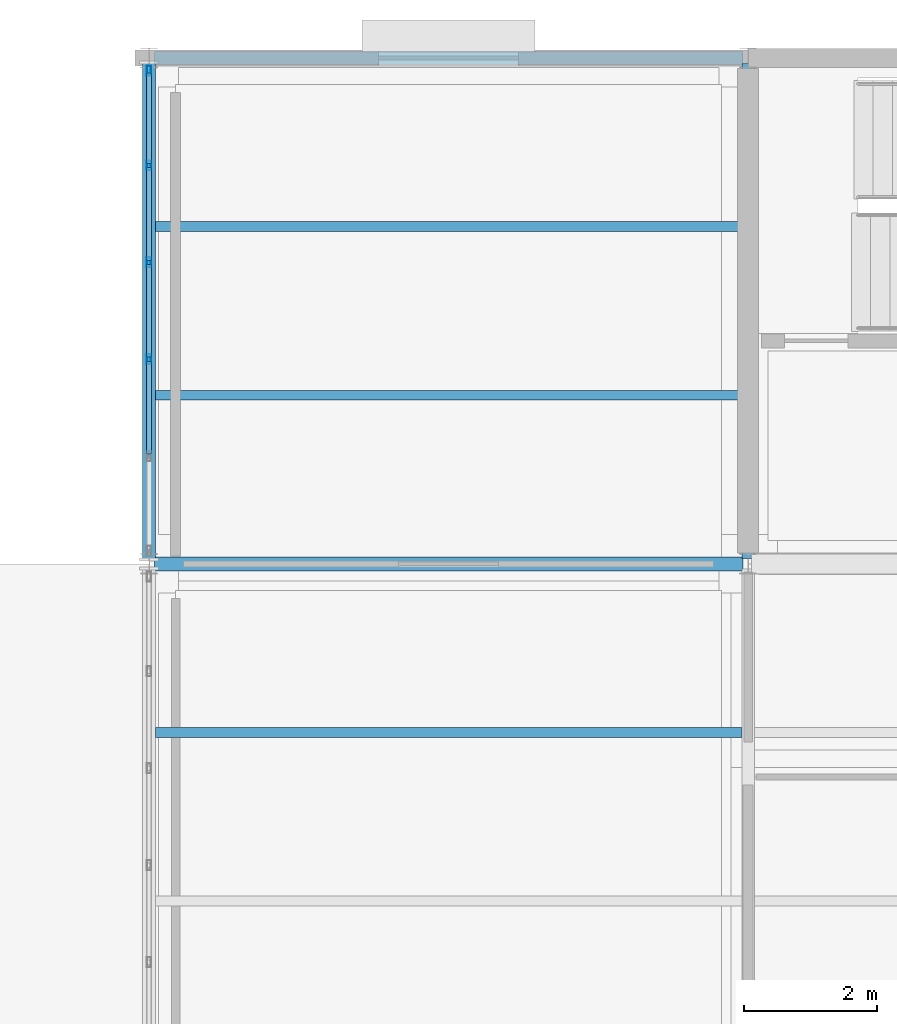
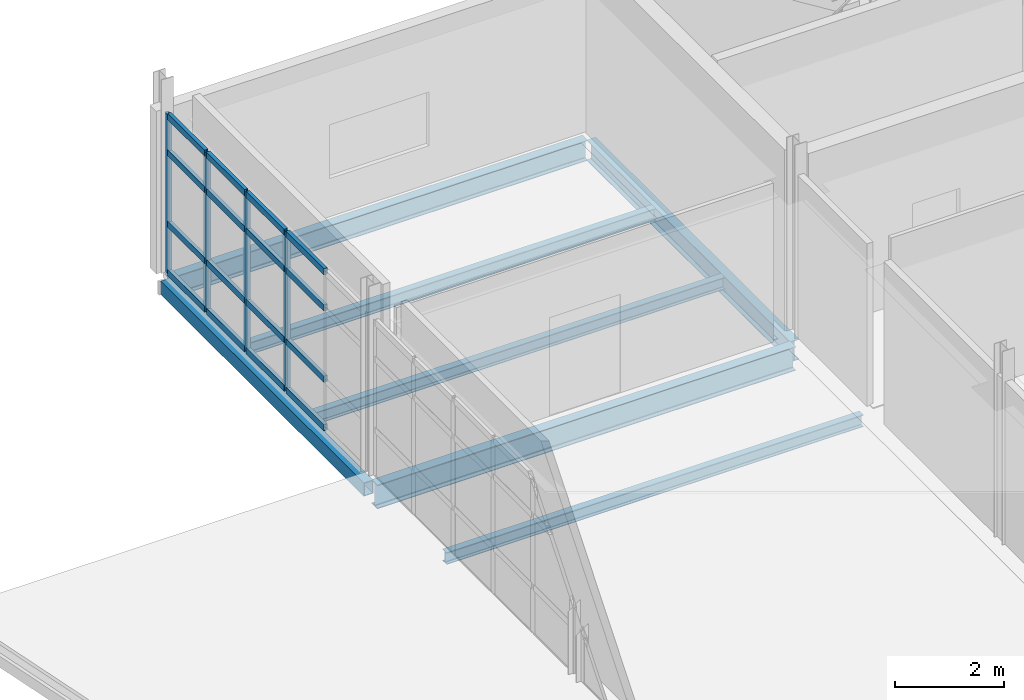
# One storey, part 54 of 96: 20 members, 7 beams, 1 element without a shape of its own.
"""IFC4 building model written with IfcOpenShell, lengths in metres."""

from ifc_helpers import new_model, si_unit, direction, frame, origin, origin_2d, place, context, subcontext, project, spatial, hollow_rectangle, i_section, extrude, material, material_profile, profile_set, type_object, element, aggregate, save


model = new_model("IFC4")

# Units and contexts
model_context = context("Model", 3, precision=1e-05, world=origin(), true_north=direction((0.0, 1.0)))
body_context = subcontext(model_context, "Body", "Model", "MODEL_VIEW")
ifc_project = project(units=[si_unit("LENGTHUNIT", "METRE"), si_unit("AREAUNIT", "SQUARE_METRE"), si_unit("VOLUMEUNIT", "CUBIC_METRE"), si_unit("PLANEANGLEUNIT", "RADIAN"), si_unit("MASSUNIT", "GRAM", prefix="KILO")], contexts=[model_context])

# Site, building, storey
site_placement = place(None, origin())
site = spatial("IfcSite", under=ifc_project, at=site_placement, CompositionType="ELEMENT")
building_placement = place(site_placement, origin())
building = spatial("IfcBuilding", under=site, at=building_placement, Name="Caisbarro Railhouse Central Library", CompositionType="ELEMENT")
storey_placement = place(building_placement, frame((0.0, 0.0, 13.679931640625)))
storey = spatial("IfcBuildingStorey", under=building, at=storey_placement, Name="L03", CompositionType="ELEMENT", Elevation=13.679931640625)

# Beams
ifc_material_1 = material(Name="Steel ASTM A572 Grade 50", Category="steel")
ifc_material_profile_1 = material_profile(ifc_material_1, i_section(OverallWidth=0.208984375, OverallDepth=0.532958984375, WebThickness=0.01025390625, FlangeThickness=0.015625, FilletRadius=0.02001953125, at=origin_2d()), Name="W530X92.0")
ifc_profile_set_1 = profile_set([ifc_material_profile_1], Name="Steel ASTM A572 Grade 50")
beam_type_1 = type_object("IfcBeamType", Name="BM-G06", PredefinedType="BEAM", material=ifc_profile_set_1)
beam_1_placement = place(storey_placement, frame((117.080078125, 106.39990234375, -0.486328125), z_axis=(1.0, 0.0, 0.0), x_axis=(0.0, 1.0, 0.0)))
element("IfcBeam", 1, at=beam_1_placement, inside=storey, type_object=beam_type_1, Name="G06 beam L03 #1873", PredefinedType="BEAM", context=body_context, shape_type="SweptSolid", body=[
    extrude(i_section(OverallWidth=0.208984375, OverallDepth=0.532958984375, WebThickness=0.01025390625, FlangeThickness=0.015625, FilletRadius=0.02001953125, at=origin_2d()), origin(), (0.0, 0.0, 1.0), 8.83984375),
])
ifc_material_profile_2 = material_profile(ifc_material_1, i_section(OverallWidth=0.18994140625, OverallDepth=0.45703125, WebThickness=0.009033203125, FlangeThickness=0.014404296875, FilletRadius=0.01806640625, at=origin_2d()), Name="W460X74.0")
ifc_profile_set_2 = profile_set([ifc_material_profile_2], Name="Steel ASTM A572 Grade 50")
beam_type_2 = type_object("IfcBeamType", Name="BM-G08", PredefinedType="BEAM", material=ifc_profile_set_2)
beam_2_placement = place(storey_placement, frame((126.0, 106.47998046875, -0.448486328125), z_axis=(0.0, 1.0, 0.0), x_axis=(-1.0, 0.0, 0.0)))
element("IfcBeam", 2, at=beam_2_placement, inside=storey, type_object=beam_type_2, Name="G08 beam L03 #1892", PredefinedType="BEAM", context=body_context, shape_type="SweptSolid", body=[
    extrude(i_section(OverallWidth=0.18994140625, OverallDepth=0.45703125, WebThickness=0.009033203125, FlangeThickness=0.014404296875, FilletRadius=0.01806640625, at=origin_2d()), origin(), (0.0, 0.0, 1.0), 7.43994140625),
])
ifc_material_profile_3 = material_profile(ifc_material_1, i_section(OverallWidth=0.14794921875, OverallDepth=0.26611328125, WebThickness=0.007568359375, FlangeThickness=0.012939453125, FilletRadius=0.010009765625, at=origin_2d()), Name="W250X44.8")
ifc_profile_set_3 = profile_set([ifc_material_profile_3], Name="Steel ASTM A572 Grade 50")
beam_type_3 = type_object("IfcBeamType", Name="BM-J04", PredefinedType="JOIST", material=ifc_profile_set_3)
for number, where, z_axis, x_axis, name in (
    (3, (117.10009765625, 103.86669921875, -0.35302734375), (1.0, 0.0, 0.0), (0.0, 1.0, 0.0), "J04 beam L03 #1918"),
    (4, (117.10009765625, 108.933349609375, -0.35302734375), (1.0, 0.0, 0.0), (0.0, 1.0, 0.0), "J04 beam L03 #1919"),
    (5, (117.10009765625, 111.466796875, -0.35302734375), (1.0, 0.0, 0.0), (0.0, 1.0, 0.0), "J04 beam L03 #1920"),
):
    element("IfcBeam", number, at=place(storey_placement, frame(where, z_axis=z_axis, x_axis=x_axis)), inside=storey, type_object=beam_type_3, Name=name, PredefinedType="JOIST", context=body_context, shape_type="SweptSolid", body=[
        extrude(i_section(OverallWidth=0.14794921875, OverallDepth=0.26611328125, WebThickness=0.007568359375, FlangeThickness=0.012939453125, FilletRadius=0.010009765625, at=origin_2d()), origin(), (0.0, 0.0, 1.0), 8.804931640625),
    ])
ifc_material_profile_4 = material_profile(ifc_material_1, i_section(OverallWidth=0.18994140625, OverallDepth=0.45703125, WebThickness=0.009033203125, FlangeThickness=0.014404296875, FilletRadius=0.01806640625, at=origin_2d()), Name="W460X74.0")
ifc_profile_set_4 = profile_set([ifc_material_profile_4], Name="Steel ASTM A572 Grade 50")
beam_type_4 = type_object("IfcBeamType", Name="BM-SP01", PredefinedType="SPANDREL", material=ifc_profile_set_4)
beam_3_placement = place(storey_placement, frame((117.080078125, 114.0, -0.448486328125), z_axis=(1.0, 0.0, 0.0), x_axis=(0.0, 1.0, 0.0)))
element("IfcBeam", 6, at=beam_3_placement, inside=storey, type_object=beam_type_4, Name="SP01 beam L03 #1877", PredefinedType="SPANDREL", context=body_context, shape_type="SweptSolid", body=[
    extrude(i_section(OverallWidth=0.18994140625, OverallDepth=0.45703125, WebThickness=0.009033203125, FlangeThickness=0.014404296875, FilletRadius=0.01806640625, at=origin_2d()), origin(), (0.0, 0.0, 1.0), 8.83984375),
])
ifc_material_profile_5 = material_profile(ifc_material_1, hollow_rectangle(XDim=0.199951171875, YDim=0.300048828125, WallThickness=0.012451171875, at=origin_2d()), Name="HSS300X200X12.5")
ifc_profile_set_5 = profile_set([ifc_material_profile_5], Name="Steel ASTM A572 Grade 50")
beam_type_5 = type_object("IfcBeamType", Name="BM-SP02", PredefinedType="SPANDREL", material=ifc_profile_set_5)
beam_4_placement = place(storey_placement, frame((117.0, 106.47998046875, -0.369873046875), z_axis=(0.0, 1.0, 0.0), x_axis=(-1.0, 0.0, 0.0)))
element("IfcBeam", 7, at=beam_4_placement, inside=storey, type_object=beam_type_5, Name="SP02 beam L03 #1886", PredefinedType="SPANDREL", context=body_context, shape_type="SweptSolid", body=[
    extrude(hollow_rectangle(XDim=0.199951171875, YDim=0.300048828125, WallThickness=0.012451171875, at=origin_2d()), origin(), (0.0, 0.0, 1.0), 7.43994140625),
])

# Curtain wall, members
ifc_material_2 = material(Name="Anodised architectural aluminium", Category="aluminium")
curtain_wall_type = type_object("IfcCurtainWallType", Name="CW-CW02", PredefinedType="NOTDEFINED", material=ifc_material_2)
curtain_wall_placement = place(storey_placement, origin())
curtain_wall = element("IfcCurtainWall", 8, at=curtain_wall_placement, inside=storey, type_object=curtain_wall_type, Name="CW02 curtain wall L03 #147", PredefinedType="NOTDEFINED")
ifc_material_profile_6 = material_profile(ifc_material_2, hollow_rectangle(XDim=0.06494140625, YDim=0.14990234375, WallThickness=0.00390625, at=origin_2d()), Name="ALU-MUL-65X150")
ifc_profile_set_6 = profile_set([ifc_material_profile_6], Name="Anodised architectural aluminium")
member_type_1 = type_object("IfcMemberType", Name="CWM-M02", PredefinedType="MULLION", material=ifc_profile_set_6)
member_1_placement = place(storey_placement, frame((117.0, 109.471923828125, 0.0), z_axis=(0.0, 0.0, 1.0), x_axis=(-1.0, 0.0, 0.0)))
member_1 = element("IfcMember", 9, at=member_1_placement, type_object=member_type_1, Name="CW02 mullion 3", PredefinedType="MULLION", context=body_context, shape_type="SweptSolid", body=[
    extrude(hollow_rectangle(XDim=0.06494140625, YDim=0.14990234375, WallThickness=0.00390625, at=origin_2d()), origin(), (0.0, 0.0, 1.0), 3.56005859375),
])
member_2_placement = place(storey_placement, frame((117.0, 110.927978515625, 0.0), z_axis=(0.0, 0.0, 1.0), x_axis=(-1.0, 0.0, 0.0)))
member_2 = element("IfcMember", 10, at=member_2_placement, type_object=member_type_1, Name="CW02 mullion 4", PredefinedType="MULLION", context=body_context, shape_type="SweptSolid", body=[
    extrude(hollow_rectangle(XDim=0.06494140625, YDim=0.14990234375, WallThickness=0.00390625, at=origin_2d()), origin(), (0.0, 0.0, 1.0), 3.56005859375),
])
member_3_placement = place(storey_placement, frame((117.0, 112.384033203125, 0.0), z_axis=(0.0, 0.0, 1.0), x_axis=(-1.0, 0.0, 0.0)))
member_3 = element("IfcMember", 11, at=member_3_placement, type_object=member_type_1, Name="CW02 mullion 5", PredefinedType="MULLION", context=body_context, shape_type="SweptSolid", body=[
    extrude(hollow_rectangle(XDim=0.06494140625, YDim=0.14990234375, WallThickness=0.00390625, at=origin_2d()), origin(), (0.0, 0.0, 1.0), 3.56005859375),
])
member_4_placement = place(storey_placement, frame((117.0, 113.8076171875, 0.0), z_axis=(0.0, 0.0, 1.0), x_axis=(-1.0, 0.0, 0.0)))
member_4 = element("IfcMember", 12, at=member_4_placement, type_object=member_type_1, Name="CW02 mullion 6", PredefinedType="MULLION", context=body_context, shape_type="SweptSolid", body=[
    extrude(hollow_rectangle(XDim=0.06494140625, YDim=0.14990234375, WallThickness=0.00390625, at=origin_2d()), origin(), (0.0, 0.0, 1.0), 3.56005859375),
])
ifc_material_profile_7 = material_profile(ifc_material_2, hollow_rectangle(XDim=0.074951171875, YDim=0.139892578125, WallThickness=0.00390625, at=origin_2d()), Name="ALU-TRN-75X140")
ifc_profile_set_7 = profile_set([ifc_material_profile_7], Name="Anodised architectural aluminium")
member_type_2 = type_object("IfcMemberType", Name="CWT-T01", PredefinedType="USERDEFINED", material=ifc_profile_set_7)
member_5_placement = place(storey_placement, frame((117.0, 108.048583984375, 0.03759765625), z_axis=(0.0, 1.0, 0.0), x_axis=(-1.0, 0.0, 0.0)))
member_5 = element("IfcMember", 13, at=member_5_placement, type_object=member_type_2, Name="CW02 transom 2.1", ObjectType="TRANSOM", PredefinedType="USERDEFINED", context=body_context, shape_type="SweptSolid", body=[
    extrude(hollow_rectangle(XDim=0.074951171875, YDim=0.139892578125, WallThickness=0.00390625, at=origin_2d()), origin(), (0.0, 0.0, 1.0), 1.390869140625),
])
member_6_placement = place(storey_placement, frame((117.0, 108.048583984375, 1.1201171875), z_axis=(0.0, 1.0, 0.0), x_axis=(-1.0, 0.0, 0.0)))
member_6 = element("IfcMember", 14, at=member_6_placement, type_object=member_type_2, Name="CW02 transom 2.2", ObjectType="TRANSOM", PredefinedType="USERDEFINED", context=body_context, shape_type="SweptSolid", body=[
    extrude(hollow_rectangle(XDim=0.074951171875, YDim=0.139892578125, WallThickness=0.00390625, at=origin_2d()), origin(), (0.0, 0.0, 1.0), 1.390869140625),
])
member_7_placement = place(storey_placement, frame((117.0, 108.048583984375, 2.7099609375), z_axis=(0.0, 1.0, 0.0), x_axis=(-1.0, 0.0, 0.0)))
member_7 = element("IfcMember", 15, at=member_7_placement, type_object=member_type_2, Name="CW02 transom 2.3", ObjectType="TRANSOM", PredefinedType="USERDEFINED", context=body_context, shape_type="SweptSolid", body=[
    extrude(hollow_rectangle(XDim=0.074951171875, YDim=0.139892578125, WallThickness=0.00390625, at=origin_2d()), origin(), (0.0, 0.0, 1.0), 1.390869140625),
])
member_8_placement = place(storey_placement, frame((117.0, 108.048583984375, 3.5224609375), z_axis=(0.0, 1.0, 0.0), x_axis=(-1.0, 0.0, 0.0)))
member_8 = element("IfcMember", 16, at=member_8_placement, type_object=member_type_2, Name="CW02 transom 2.4", ObjectType="TRANSOM", PredefinedType="USERDEFINED", context=body_context, shape_type="SweptSolid", body=[
    extrude(hollow_rectangle(XDim=0.074951171875, YDim=0.139892578125, WallThickness=0.00390625, at=origin_2d()), origin(), (0.0, 0.0, 1.0), 1.390869140625),
])
member_9_placement = place(storey_placement, frame((117.0, 109.50439453125, 0.03759765625), z_axis=(0.0, 1.0, 0.0), x_axis=(-1.0, 0.0, 0.0)))
member_9 = element("IfcMember", 17, at=member_9_placement, type_object=member_type_2, Name="CW02 transom 3.1", ObjectType="TRANSOM", PredefinedType="USERDEFINED", context=body_context, shape_type="SweptSolid", body=[
    extrude(hollow_rectangle(XDim=0.074951171875, YDim=0.139892578125, WallThickness=0.00390625, at=origin_2d()), origin(), (0.0, 0.0, 1.0), 1.39111328125),
])
member_10_placement = place(storey_placement, frame((117.0, 109.50439453125, 1.1201171875), z_axis=(0.0, 1.0, 0.0), x_axis=(-1.0, 0.0, 0.0)))
member_10 = element("IfcMember", 18, at=member_10_placement, type_object=member_type_2, Name="CW02 transom 3.2", ObjectType="TRANSOM", PredefinedType="USERDEFINED", context=body_context, shape_type="SweptSolid", body=[
    extrude(hollow_rectangle(XDim=0.074951171875, YDim=0.139892578125, WallThickness=0.00390625, at=origin_2d()), origin(), (0.0, 0.0, 1.0), 1.39111328125),
])
member_11_placement = place(storey_placement, frame((117.0, 109.50439453125, 2.7099609375), z_axis=(0.0, 1.0, 0.0), x_axis=(-1.0, 0.0, 0.0)))
member_11 = element("IfcMember", 19, at=member_11_placement, type_object=member_type_2, Name="CW02 transom 3.3", ObjectType="TRANSOM", PredefinedType="USERDEFINED", context=body_context, shape_type="SweptSolid", body=[
    extrude(hollow_rectangle(XDim=0.074951171875, YDim=0.139892578125, WallThickness=0.00390625, at=origin_2d()), origin(), (0.0, 0.0, 1.0), 1.39111328125),
])
member_12_placement = place(storey_placement, frame((117.0, 109.50439453125, 3.5224609375), z_axis=(0.0, 1.0, 0.0), x_axis=(-1.0, 0.0, 0.0)))
member_12 = element("IfcMember", 20, at=member_12_placement, type_object=member_type_2, Name="CW02 transom 3.4", ObjectType="TRANSOM", PredefinedType="USERDEFINED", context=body_context, shape_type="SweptSolid", body=[
    extrude(hollow_rectangle(XDim=0.074951171875, YDim=0.139892578125, WallThickness=0.00390625, at=origin_2d()), origin(), (0.0, 0.0, 1.0), 1.39111328125),
])
member_13_placement = place(storey_placement, frame((117.0, 110.96044921875, 0.03759765625), z_axis=(0.0, 1.0, 0.0), x_axis=(-1.0, 0.0, 0.0)))
member_13 = element("IfcMember", 21, at=member_13_placement, type_object=member_type_2, Name="CW02 transom 4.1", ObjectType="TRANSOM", PredefinedType="USERDEFINED", context=body_context, shape_type="SweptSolid", body=[
    extrude(hollow_rectangle(XDim=0.074951171875, YDim=0.139892578125, WallThickness=0.00390625, at=origin_2d()), origin(), (0.0, 0.0, 1.0), 1.39111328125),
])
member_14_placement = place(storey_placement, frame((117.0, 110.96044921875, 1.1201171875), z_axis=(0.0, 1.0, 0.0), x_axis=(-1.0, 0.0, 0.0)))
member_14 = element("IfcMember", 22, at=member_14_placement, type_object=member_type_2, Name="CW02 transom 4.2", ObjectType="TRANSOM", PredefinedType="USERDEFINED", context=body_context, shape_type="SweptSolid", body=[
    extrude(hollow_rectangle(XDim=0.074951171875, YDim=0.139892578125, WallThickness=0.00390625, at=origin_2d()), origin(), (0.0, 0.0, 1.0), 1.39111328125),
])
member_15_placement = place(storey_placement, frame((117.0, 110.96044921875, 2.7099609375), z_axis=(0.0, 1.0, 0.0), x_axis=(-1.0, 0.0, 0.0)))
member_15 = element("IfcMember", 23, at=member_15_placement, type_object=member_type_2, Name="CW02 transom 4.3", ObjectType="TRANSOM", PredefinedType="USERDEFINED", context=body_context, shape_type="SweptSolid", body=[
    extrude(hollow_rectangle(XDim=0.074951171875, YDim=0.139892578125, WallThickness=0.00390625, at=origin_2d()), origin(), (0.0, 0.0, 1.0), 1.39111328125),
])
member_16_placement = place(storey_placement, frame((117.0, 110.96044921875, 3.5224609375), z_axis=(0.0, 1.0, 0.0), x_axis=(-1.0, 0.0, 0.0)))
member_16 = element("IfcMember", 24, at=member_16_placement, type_object=member_type_2, Name="CW02 transom 4.4", ObjectType="TRANSOM", PredefinedType="USERDEFINED", context=body_context, shape_type="SweptSolid", body=[
    extrude(hollow_rectangle(XDim=0.074951171875, YDim=0.139892578125, WallThickness=0.00390625, at=origin_2d()), origin(), (0.0, 0.0, 1.0), 1.39111328125),
])
member_17_placement = place(storey_placement, frame((117.0, 112.41650390625, 0.03759765625), z_axis=(0.0, 1.0, 0.0), x_axis=(-1.0, 0.0, 0.0)))
member_17 = element("IfcMember", 25, at=member_17_placement, type_object=member_type_2, Name="CW02 transom 5.1", ObjectType="TRANSOM", PredefinedType="USERDEFINED", context=body_context, shape_type="SweptSolid", body=[
    extrude(hollow_rectangle(XDim=0.074951171875, YDim=0.139892578125, WallThickness=0.00390625, at=origin_2d()), origin(), (0.0, 0.0, 1.0), 1.3583984375),
])
member_18_placement = place(storey_placement, frame((117.0, 112.41650390625, 1.1201171875), z_axis=(0.0, 1.0, 0.0), x_axis=(-1.0, 0.0, 0.0)))
member_18 = element("IfcMember", 26, at=member_18_placement, type_object=member_type_2, Name="CW02 transom 5.2", ObjectType="TRANSOM", PredefinedType="USERDEFINED", context=body_context, shape_type="SweptSolid", body=[
    extrude(hollow_rectangle(XDim=0.074951171875, YDim=0.139892578125, WallThickness=0.00390625, at=origin_2d()), origin(), (0.0, 0.0, 1.0), 1.3583984375),
])
member_19_placement = place(storey_placement, frame((117.0, 112.41650390625, 2.7099609375), z_axis=(0.0, 1.0, 0.0), x_axis=(-1.0, 0.0, 0.0)))
member_19 = element("IfcMember", 27, at=member_19_placement, type_object=member_type_2, Name="CW02 transom 5.3", ObjectType="TRANSOM", PredefinedType="USERDEFINED", context=body_context, shape_type="SweptSolid", body=[
    extrude(hollow_rectangle(XDim=0.074951171875, YDim=0.139892578125, WallThickness=0.00390625, at=origin_2d()), origin(), (0.0, 0.0, 1.0), 1.3583984375),
])
member_20_placement = place(storey_placement, frame((117.0, 112.41650390625, 3.5224609375), z_axis=(0.0, 1.0, 0.0), x_axis=(-1.0, 0.0, 0.0)))
member_20 = element("IfcMember", 28, at=member_20_placement, type_object=member_type_2, Name="CW02 transom 5.4", ObjectType="TRANSOM", PredefinedType="USERDEFINED", context=body_context, shape_type="SweptSolid", body=[
    extrude(hollow_rectangle(XDim=0.074951171875, YDim=0.139892578125, WallThickness=0.00390625, at=origin_2d()), origin(), (0.0, 0.0, 1.0), 1.3583984375),
])
aggregate(curtain_wall, [member_1, member_2, member_3, member_4, member_5, member_6, member_7, member_8, member_9, member_10, member_11, member_12, member_13, member_14, member_15, member_16, member_17, member_18, member_19, member_20])

save(model, "model.ifc")
